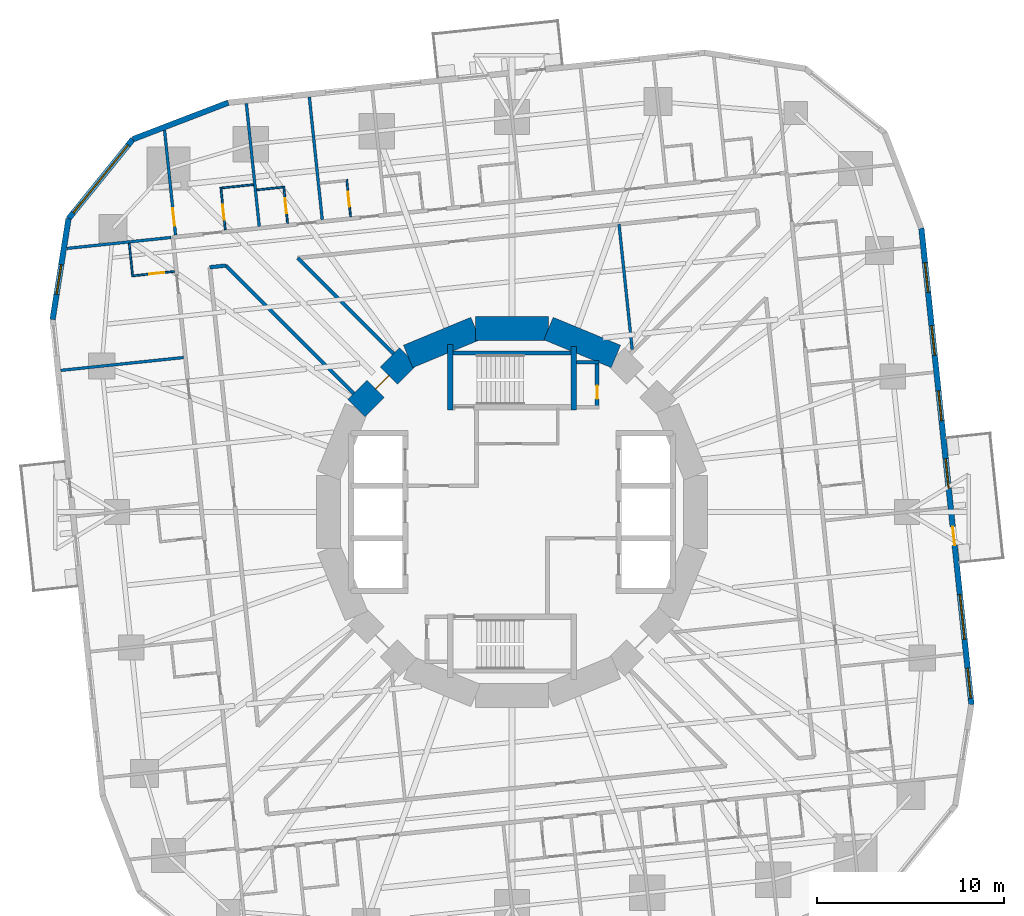
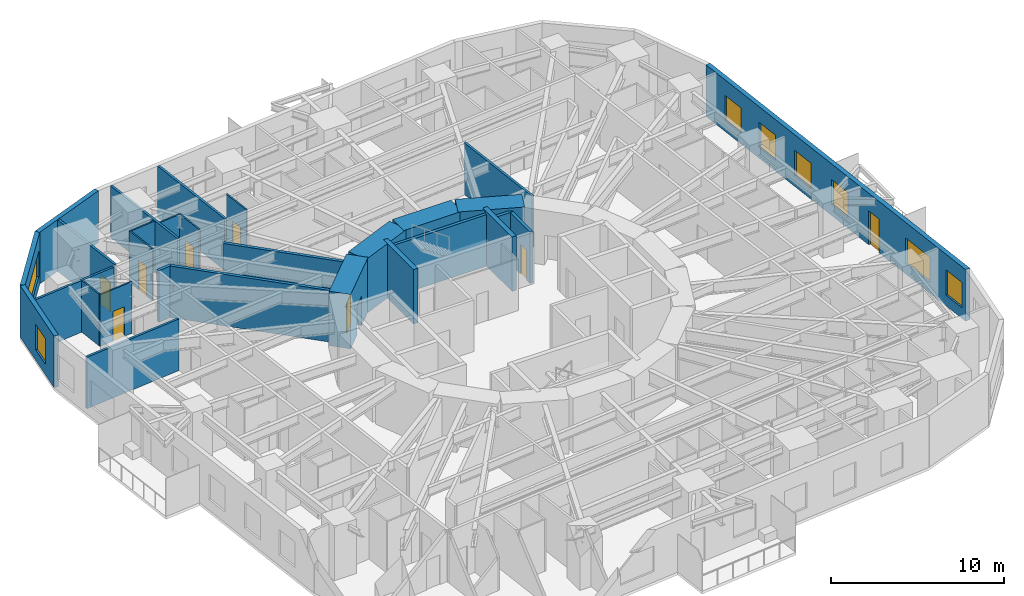
# One storey, part 9 of 13: 29 walls, 8 doors, 8 windows, 16 openings.
"""IFC4 building model written with IfcOpenShell, lengths in metres."""

from ifc_helpers import new_model, si_unit, direction, frame, frame_2d, origin, place, context, subcontext, project, spatial, rectangle, extrude, material, layer, layer_set, type_object, element, fill, save


model = new_model("IFC4")

# Units and contexts
model_context = context("Model", 3, precision=1e-05, world=origin(), true_north=direction((0.0, 1.0)))
body_context = subcontext(model_context, "Body", "Model", "MODEL_VIEW")
ifc_project = project(units=[si_unit("LENGTHUNIT", "METRE"), si_unit("AREAUNIT", "SQUARE_METRE"), si_unit("VOLUMEUNIT", "CUBIC_METRE"), si_unit("PLANEANGLEUNIT", "RADIAN"), si_unit("MASSUNIT", "GRAM", prefix="KILO")], contexts=[model_context])

# Site, building, storey
site_placement = place(None, origin())
site = spatial("IfcSite", under=ifc_project, at=site_placement, CompositionType="ELEMENT")
building_placement = place(site_placement, origin())
building = spatial("IfcBuilding", under=site, at=building_placement, Name="Nakasero Lantern House", CompositionType="ELEMENT")
storey_placement = place(building_placement, frame((0.0, 0.0, 83.60009765625)))
storey = spatial("IfcBuildingStorey", under=building, at=storey_placement, Name="L20", CompositionType="ELEMENT", Elevation=83.60009765625)

# Walls
ifc_material_1 = material(Name="Concrete C50/60", Category="concrete")
ifc_layer_1 = layer(ifc_material_1, 0.300048828125)
ifc_layer_set_1 = layer_set([ifc_layer_1], Name="Core inner wall 300")
wall_type_1 = type_object("IfcWallType", Name="Core inner wall 300", PredefinedType="SHEAR", material=ifc_layer_set_1)
wall_1_placement = place(storey_placement, frame((-3.300048828125, 5.449951171875, 0.0), z_axis=(0.0, 0.0, 1.0), x_axis=(0.0, 1.0, 0.0)))
element("IfcWall", 1, at=wall_1_placement, inside=storey, type_object=wall_type_1, Name="Core inner wall L20 SNW", PredefinedType="SHEAR", context=body_context, shape_type="SweptSolid", body=[
    extrude(rectangle(XDim=3.5, YDim=0.300048828125, at=frame_2d((1.75, 0.0))), origin(), (0.0, 0.0, 1.0), 3.849853515625),
])
wall_2_placement = place(storey_placement, frame((3.300048828125, 5.449951171875, 0.0), z_axis=(0.0, 0.0, 1.0), x_axis=(0.0, 1.0, 0.0)))
element("IfcWall", 2, at=wall_2_placement, inside=storey, type_object=wall_type_1, Name="Core inner wall L20 SNE", PredefinedType="SHEAR", context=body_context, shape_type="SweptSolid", body=[
    extrude(rectangle(XDim=3.400146484375, YDim=0.300048828125, at=frame_2d((1.7001953125, 0.0))), origin(), (0.0, 0.0, 1.0), 3.849853515625),
])
ifc_material_2 = material(Name="Concrete C50/60", Category="concrete")
ifc_layer_2 = layer(ifc_material_2, 1.300048828125)
ifc_layer_set_2 = layer_set([ifc_layer_2], Name="Core wall 1300")
wall_type_2 = type_object("IfcWallType", Name="Core wall 1300", PredefinedType="SHEAR", material=ifc_layer_set_2)
for number, where, z_axis, x_axis, name in (
    (3, (5.5556640625, 8.314697265625, 0.0), (0.0, 0.0, 1.0), (-0.923876507187, 0.382690736062, 0.0), "Core wall L20 facet 3"),
    (4, (1.950927734375, 9.807861328125, 0.0), (0.0, 0.0, 1.0), (-1.0, 0.0, 0.0), "Core wall L20 facet 4"),
    (5, (-1.950927734375, 9.807861328125, 0.0), (0.0, 0.0, 1.0), (-0.923876507187, -0.382690736062, 0.0), "Core wall L20 facet 5"),
):
    element("IfcWall", number, at=place(storey_placement, frame(where, z_axis=z_axis, x_axis=x_axis)), inside=storey, type_object=wall_type_2, Name=name, PredefinedType="SHEAR", context=body_context, shape_type="SweptSolid", body=[
        extrude(rectangle(XDim=3.90185546875, YDim=1.300048828125, at=frame_2d((1.950927734375, 0.0))), origin(), (0.0, 0.0, 1.0), 3.849853515625),
    ])

# Wall, opening, door
wall_3_placement = place(storey_placement, frame((-5.5556640625, 8.314697265625, 0.0), z_axis=(0.0, 0.0, 1.0), x_axis=(-0.707106781187, -0.707106781187, 0.0)))
wall_3 = element("IfcWall", 6, at=wall_3_placement, inside=storey, type_object=wall_type_2, Name="Core wall L20 facet 6", PredefinedType="SHEAR", context=body_context, shape_type="SweptSolid", body=[
    extrude(rectangle(XDim=3.90185546875, YDim=1.300048828125, at=frame_2d((1.950927734375, 0.0))), origin(), (0.0, 0.0, 1.0), 3.849853515625),
])
opening_1_placement = place(wall_3_placement, frame((1.450927734375, 0.0, 0.0)))
opening_1 = element("IfcOpeningElement", 7, at=opening_1_placement, cuts=wall_3, Name="Opening D05", PredefinedType="OPENING", context=body_context, shape_type="SweptSolid", body=[
    extrude(rectangle(XDim=1.0, YDim=2.10009765625, at=frame_2d((0.5, 1.050048828125))), frame((0.0, 0.669921875, 0.0), z_axis=(0.0, -1.0, 0.0), x_axis=(1.0, 0.0, 0.0)), (0.0, 0.0, 1.0), 1.340087890625),
])
ifc_material_3 = material(Name="Timber C24", Category="wood")
door_type_1 = type_object("IfcDoorType", Name="Core door FD60S 1000", OperationType="SINGLE_SWING_LEFT", PredefinedType="DOOR", material=ifc_material_3)
door_1_placement = place(opening_1_placement, origin())
door_1 = element("IfcDoor", 8, at=door_1_placement, inside=storey, type_object=door_type_1, Name="Door L20 D-CORE06", OperationType="SINGLE_SWING_LEFT", OverallHeight=2.10009765625, OverallWidth=1.0, PredefinedType="DOOR", context=body_context, shape_type="SweptSolid", body=[
    extrude(rectangle(XDim=1.0, YDim=2.10009765625, at=frame_2d((0.5, 1.050048828125))), frame((0.0, 0.02490234375, 0.0), z_axis=(0.0, -1.0, 0.0), x_axis=(1.0, 0.0, 0.0)), (0.0, 0.0, 1.0), 0.050048828125),
])
fill(opening_1, door_1)

# Walls
ifc_material_4 = material(Name="Blockwork", Category="masonry")
ifc_layer_3 = layer(ifc_material_4, 0.199951171875)
ifc_layer_set_3 = layer_set([ifc_layer_3], Name="Corridor wall 200")
wall_type_3 = type_object("IfcWallType", Name="Corridor wall 200", PredefinedType="PARTITIONING", material=ifc_layer_set_3)
wall_4_placement = place(storey_placement, frame((-8.45556640625, 6.334228515625, 0.0), z_axis=(0.0, 0.0, 1.0), x_axis=(-0.707106781187, 0.707106781187, 0.0)))
element("IfcWall", 9, at=wall_4_placement, inside=storey, type_object=wall_type_3, Name="Corridor wall L20 PS06a", PredefinedType="PARTITIONING", context=body_context, shape_type="SweptSolid", body=[
    extrude(rectangle(XDim=9.671875, YDim=0.199951171875, at=frame_2d((4.8359375, 0.0))), origin(), (0.0, 0.0, 1.0), 3.64990234375),
])
wall_5_placement = place(storey_placement, frame((-6.334228515625, 8.45556640625, 0.0), z_axis=(0.0, 0.0, 1.0), x_axis=(-0.707106781187, 0.707106781187, 0.0)))
element("IfcWall", 10, at=wall_5_placement, inside=storey, type_object=wall_type_3, Name="Corridor wall L20 PS06b", PredefinedType="PARTITIONING", context=body_context, shape_type="SweptSolid", body=[
    extrude(rectangle(XDim=7.24267578125, YDim=0.199951171875, at=frame_2d((3.621337890625, 0.0))), origin(), (0.0, 0.0, 1.0), 3.64990234375),
])
wall_6_placement = place(storey_placement, frame((-16.156005859375, 13.0830078125, 0.0), z_axis=(0.0, 0.0, 1.0), x_axis=(0.994545540927, 0.104303245505, 0.0)))
element("IfcWall", 11, at=wall_6_placement, inside=storey, type_object=wall_type_3, Name="Corridor wall L20 IW2-0R0", PredefinedType="PARTITIONING", context=body_context, shape_type="SweptSolid", body=[
    extrude(rectangle(XDim=0.865966796875, YDim=0.199951171875, at=frame_2d((0.43310546875, 0.0))), origin(), (0.0, 0.0, 1.0), 3.64990234375),
])

# Wall, opening, door
ifc_material_5 = material(Name="Blockwork", Category="masonry")
ifc_layer_4 = layer(ifc_material_5, 0.10009765625)
ifc_layer_set_4 = layer_set([ifc_layer_4], Name="En-suite wall 100")
wall_type_4 = type_object("IfcWallType", Name="En-suite wall 100", PredefinedType="PARTITIONING", material=ifc_layer_set_4)
wall_7_placement = place(storey_placement, frame((-8.627685546875, 15.78466796875, 0.0), z_axis=(0.0, 0.0, 1.0), x_axis=(-0.104614886044, 0.994512808172, 0.0)))
wall_7 = element("IfcWall", 12, at=wall_7_placement, inside=storey, type_object=wall_type_4, Name="En-suite wall L20 ES1-06", PredefinedType="PARTITIONING", context=body_context, shape_type="SweptSolid", body=[
    extrude(rectangle(XDim=2.0, YDim=0.10009765625, at=frame_2d((1.0, 0.0))), origin(), (0.0, 0.0, 1.0), 3.64990234375),
])
opening_2_placement = place(wall_7_placement, frame((0.550048828125, 0.0, 0.0)))
opening_2 = element("IfcOpeningElement", 13, at=opening_2_placement, cuts=wall_7, Name="Opening D02", PredefinedType="OPENING", context=body_context, shape_type="SweptSolid", body=[
    extrude(rectangle(XDim=0.800048828125, YDim=2.10009765625, at=frame_2d((0.39990234375, 1.050048828125))), frame((0.0, 0.070068359375, 0.0), z_axis=(0.0, -1.0, 0.0), x_axis=(1.0, 0.0, 0.0)), (0.0, 0.0, 1.0), 0.14013671875),
])
ifc_material_6 = material(Name="Timber C24", Category="wood")
door_type_2 = type_object("IfcDoorType", Name="En-suite door 800", OperationType="SINGLE_SWING_RIGHT", PredefinedType="DOOR", material=ifc_material_6)
door_2_placement = place(opening_2_placement, origin())
door_2 = element("IfcDoor", 14, at=door_2_placement, inside=storey, type_object=door_type_2, Name="Door L20 DE1-06", OperationType="SINGLE_SWING_LEFT", OverallHeight=2.10009765625, OverallWidth=0.800048828125, PredefinedType="DOOR", context=body_context, shape_type="SweptSolid", body=[
    extrude(rectangle(XDim=0.800048828125, YDim=2.10009765625, at=frame_2d((0.39990234375, 1.050048828125))), frame((0.0, 0.02490234375, 0.0), z_axis=(0.0, -1.0, 0.0), x_axis=(1.0, 0.0, 0.0)), (0.0, 0.0, 1.0), 0.050048828125),
])
fill(opening_2, door_2)

wall_8_placement = place(storey_placement, frame((-11.994873046875, 15.4306640625, 0.0), z_axis=(0.0, 0.0, 1.0), x_axis=(-0.104494148666, 0.99452550138, 0.0)))
wall_8 = element("IfcWall", 15, at=wall_8_placement, inside=storey, type_object=wall_type_4, Name="En-suite wall L20 ES1-07", PredefinedType="PARTITIONING", context=body_context, shape_type="SweptSolid", body=[
    extrude(rectangle(XDim=2.0, YDim=0.10009765625, at=frame_2d((1.0, 0.0))), origin(), (0.0, 0.0, 1.0), 3.64990234375),
])
opening_3_placement = place(wall_8_placement, frame((0.550048828125, 0.0, 0.0)))
opening_3 = element("IfcOpeningElement", 16, at=opening_3_placement, cuts=wall_8, Name="Opening D02", PredefinedType="OPENING", context=body_context, shape_type="SweptSolid", body=[
    extrude(rectangle(XDim=0.800048828125, YDim=2.10009765625, at=frame_2d((0.39990234375, 1.050048828125))), frame((0.0, 0.070068359375, 0.0), z_axis=(0.0, -1.0, 0.0), x_axis=(1.0, 0.0, 0.0)), (0.0, 0.0, 1.0), 0.14013671875),
])
door_3_placement = place(opening_3_placement, origin())
door_3 = element("IfcDoor", 17, at=door_3_placement, inside=storey, type_object=door_type_2, Name="Door L20 DE1-07", OperationType="SINGLE_SWING_LEFT", OverallHeight=2.10009765625, OverallWidth=0.800048828125, PredefinedType="DOOR", context=body_context, shape_type="SweptSolid", body=[
    extrude(rectangle(XDim=0.800048828125, YDim=2.10009765625, at=frame_2d((0.39990234375, 1.050048828125))), frame((0.0, 0.02490234375, 0.0), z_axis=(0.0, -1.0, 0.0), x_axis=(1.0, 0.0, 0.0)), (0.0, 0.0, 1.0), 0.050048828125),
])
fill(opening_3, door_3)

# Wall
wall_9_placement = place(storey_placement, frame((-12.248291015625, 17.36474609375, 0.0), z_axis=(0.0, 0.0, 1.0), x_axis=(-0.994529315664, -0.104457839748, 0.0)))
element("IfcWall", 18, at=wall_9_placement, inside=storey, type_object=wall_type_4, Name="En-suite wall L20 EE1-07", PredefinedType="PARTITIONING", context=body_context, shape_type="SweptSolid", body=[
    extrude(rectangle(XDim=1.39990234375, YDim=0.10009765625, at=frame_2d((0.699951171875, 0.0))), origin(), (0.0, 0.0, 1.0), 3.64990234375),
])

# Wall, opening, door
wall_10_placement = place(storey_placement, frame((-15.326416015625, 15.08056640625, 0.0), z_axis=(0.0, 0.0, 1.0), x_axis=(-0.104557694553, 0.994518822602, 0.0)))
wall_10 = element("IfcWall", 19, at=wall_10_placement, inside=storey, type_object=wall_type_4, Name="En-suite wall L20 ES1-08", PredefinedType="PARTITIONING", context=body_context, shape_type="SweptSolid", body=[
    extrude(rectangle(XDim=2.300048828125, YDim=0.10009765625, at=frame_2d((1.14990234375, 0.0))), origin(), (0.0, 0.0, 1.0), 3.64990234375),
])
opening_4_placement = place(wall_10_placement, frame((0.550048828125, 0.0, 0.0)))
opening_4 = element("IfcOpeningElement", 20, at=opening_4_placement, cuts=wall_10, Name="Opening D02", PredefinedType="OPENING", context=body_context, shape_type="SweptSolid", body=[
    extrude(rectangle(XDim=0.800048828125, YDim=2.10009765625, at=frame_2d((0.39990234375, 1.050048828125))), frame((0.0, 0.070068359375, 0.0), z_axis=(0.0, -1.0, 0.0), x_axis=(1.0, 0.0, 0.0)), (0.0, 0.0, 1.0), 0.14013671875),
])
door_4_placement = place(opening_4_placement, origin())
door_4 = element("IfcDoor", 21, at=door_4_placement, inside=storey, type_object=door_type_2, Name="Door L20 DE1-08", OperationType="SINGLE_SWING_LEFT", OverallHeight=2.10009765625, OverallWidth=0.800048828125, PredefinedType="DOOR", context=body_context, shape_type="SweptSolid", body=[
    extrude(rectangle(XDim=0.800048828125, YDim=2.10009765625, at=frame_2d((0.39990234375, 1.050048828125))), frame((0.0, 0.02490234375, 0.0), z_axis=(0.0, -1.0, 0.0), x_axis=(1.0, 0.0, 0.0)), (0.0, 0.0, 1.0), 0.050048828125),
])
fill(opening_4, door_4)

# Wall
wall_11_placement = place(storey_placement, frame((-13.8212890625, 17.501220703125, 0.0), z_axis=(0.0, 0.0, 1.0), x_axis=(-0.994519608382, -0.104550220202, 0.0)))
element("IfcWall", 22, at=wall_11_placement, inside=storey, type_object=wall_type_4, Name="En-suite wall L20 EE1-08", PredefinedType="PARTITIONING", context=body_context, shape_type="SweptSolid", body=[
    extrude(rectangle(XDim=1.699951171875, YDim=0.10009765625, at=frame_2d((0.85009765625, 0.0))), origin(), (0.0, 0.0, 1.0), 3.64990234375),
])

# Wall, opening, door
wall_12_placement = place(storey_placement, frame((-18.04296875, 12.859375, 0.0), z_axis=(0.0, 0.0, 1.0), x_axis=(-0.994529855142, -0.104452703326, 0.0)))
wall_12 = element("IfcWall", 23, at=wall_12_placement, inside=storey, type_object=wall_type_4, Name="En-suite wall L20 ES2-00", PredefinedType="PARTITIONING", context=body_context, shape_type="SweptSolid", body=[
    extrude(rectangle(XDim=2.300048828125, YDim=0.10009765625, at=frame_2d((1.14990234375, 0.0))), origin(), (0.0, 0.0, 1.0), 3.64990234375),
])
opening_5_placement = place(wall_12_placement, frame((0.550048828125, 0.0, 0.0)))
opening_5 = element("IfcOpeningElement", 24, at=opening_5_placement, cuts=wall_12, Name="Opening D02", PredefinedType="OPENING", context=body_context, shape_type="SweptSolid", body=[
    extrude(rectangle(XDim=0.800048828125, YDim=2.10009765625, at=frame_2d((0.39990234375, 1.050048828125))), frame((0.0, 0.070068359375, 0.0), z_axis=(0.0, -1.0, 0.0), x_axis=(1.0, 0.0, 0.0)), (0.0, 0.0, 1.0), 0.14013671875),
])
door_5_placement = place(opening_5_placement, origin())
door_5 = element("IfcDoor", 25, at=door_5_placement, inside=storey, type_object=door_type_2, Name="Door L20 DE2-00", OperationType="SINGLE_SWING_LEFT", OverallHeight=2.10009765625, OverallWidth=0.800048828125, PredefinedType="DOOR", context=body_context, shape_type="SweptSolid", body=[
    extrude(rectangle(XDim=0.800048828125, YDim=2.10009765625, at=frame_2d((0.39990234375, 1.050048828125))), frame((0.0, 0.02490234375, 0.0), z_axis=(0.0, -1.0, 0.0), x_axis=(1.0, 0.0, 0.0)), (0.0, 0.0, 1.0), 0.050048828125),
])
fill(opening_5, door_5)

# Wall
wall_13_placement = place(storey_placement, frame((-20.463623046875, 14.36474609375, 0.0), z_axis=(0.0, 0.0, 1.0), x_axis=(0.104550220202, -0.994519608382, 0.0)))
element("IfcWall", 26, at=wall_13_placement, inside=storey, type_object=wall_type_4, Name="En-suite wall L20 EE2-00", PredefinedType="PARTITIONING", context=body_context, shape_type="SweptSolid", body=[
    extrude(rectangle(XDim=1.699951171875, YDim=0.10009765625, at=frame_2d((0.85009765625, 0.0))), origin(), (0.0, 0.0, 1.0), 3.64990234375),
])

# Wall, openings, door, windows
ifc_material_7 = material(Name="Aluminium rainscreen on blockwork", Category="masonry")
ifc_layer_5 = layer(ifc_material_7, 0.300048828125)
ifc_layer_set_5 = layer_set([ifc_layer_5], Name="Facade wall 300")
wall_type_5 = type_object("IfcWallType", Name="Facade wall 300", PredefinedType="SOLIDWALL", material=ifc_layer_set_5)
wall_14_placement = place(storey_placement, frame((24.56005859375, -10.2890625, 0.0), z_axis=(0.0, 0.0, 1.0), x_axis=(-0.104532378096, 0.994521483895, 0.0)))
wall_14 = element("IfcWall", 27, at=wall_14_placement, inside=storey, type_object=wall_type_5, Name="Facade wall L20 FW0S", PredefinedType="SOLIDWALL", context=body_context, shape_type="SweptSolid", body=[
    extrude(rectangle(XDim=25.599853515625, YDim=0.300048828125, at=frame_2d((12.7998046875, 0.0))), origin(), (0.0, 0.0, 1.0), 3.64990234375),
])
opening_6_placement = place(wall_14_placement, frame((0.337890625, 0.0, 0.75)))
opening_6 = element("IfcOpeningElement", 28, at=opening_6_placement, cuts=wall_14, Name="Opening W01", PredefinedType="OPENING", context=body_context, shape_type="SweptSolid", body=[
    extrude(rectangle(XDim=1.60009765625, YDim=1.800048828125, at=frame_2d((0.800048828125, 0.89990234375))), frame((0.0, 0.169921875, 0.0), z_axis=(0.0, -1.0, 0.0), x_axis=(1.0, 0.0, 0.0)), (0.0, 0.0, 1.0), 0.340087890625),
])
opening_7_placement = place(wall_14_placement, frame((11.612060546875, 0.0, 0.75)))
opening_7 = element("IfcOpeningElement", 29, at=opening_7_placement, cuts=wall_14, Name="Opening W01", PredefinedType="OPENING", context=body_context, shape_type="SweptSolid", body=[
    extrude(rectangle(XDim=1.60009765625, YDim=1.800048828125, at=frame_2d((0.800048828125, 0.89990234375))), frame((0.0, 0.169921875, 0.0), z_axis=(0.0, -1.0, 0.0), x_axis=(1.0, 0.0, 0.0)), (0.0, 0.0, 1.0), 0.340087890625),
])
opening_8_placement = place(wall_14_placement, frame((15.250732421875, 0.0, 0.75)))
opening_8 = element("IfcOpeningElement", 30, at=opening_8_placement, cuts=wall_14, Name="Opening W01", PredefinedType="OPENING", context=body_context, shape_type="SweptSolid", body=[
    extrude(rectangle(XDim=1.60009765625, YDim=1.800048828125, at=frame_2d((0.800048828125, 0.89990234375))), frame((0.0, 0.169921875, 0.0), z_axis=(0.0, -1.0, 0.0), x_axis=(1.0, 0.0, 0.0)), (0.0, 0.0, 1.0), 0.340087890625),
])
opening_9_placement = place(wall_14_placement, frame((18.7626953125, 0.0, 0.75)))
opening_9 = element("IfcOpeningElement", 31, at=opening_9_placement, cuts=wall_14, Name="Opening W01", PredefinedType="OPENING", context=body_context, shape_type="SweptSolid", body=[
    extrude(rectangle(XDim=1.60009765625, YDim=1.800048828125, at=frame_2d((0.800048828125, 0.89990234375))), frame((0.0, 0.169921875, 0.0), z_axis=(0.0, -1.0, 0.0), x_axis=(1.0, 0.0, 0.0)), (0.0, 0.0, 1.0), 0.340087890625),
])
opening_10_placement = place(wall_14_placement, frame((22.1484375, 0.0, 0.75)))
opening_10 = element("IfcOpeningElement", 32, at=opening_10_placement, cuts=wall_14, Name="Opening W01", PredefinedType="OPENING", context=body_context, shape_type="SweptSolid", body=[
    extrude(rectangle(XDim=1.60009765625, YDim=1.800048828125, at=frame_2d((0.800048828125, 0.89990234375))), frame((0.0, 0.169921875, 0.0), z_axis=(0.0, -1.0, 0.0), x_axis=(1.0, 0.0, 0.0)), (0.0, 0.0, 1.0), 0.340087890625),
])
opening_11_placement = place(wall_14_placement, frame((3.51123046875, 0.0, 0.75)))
opening_11 = element("IfcOpeningElement", 33, at=opening_11_placement, cuts=wall_14, Name="Opening W03", PredefinedType="OPENING", context=body_context, shape_type="SweptSolid", body=[
    extrude(rectangle(XDim=2.39990234375, YDim=1.800048828125, at=frame_2d((1.199951171875, 0.89990234375))), frame((0.0, 0.169921875, 0.0), z_axis=(0.0, -1.0, 0.0), x_axis=(1.0, 0.0, 0.0)), (0.0, 0.0, 1.0), 0.340087890625),
])
opening_12_placement = place(wall_14_placement, frame((8.558837890625, 0.0, 0.0)))
opening_12 = element("IfcOpeningElement", 34, at=opening_12_placement, cuts=wall_14, Name="Opening D04", PredefinedType="OPENING", context=body_context, shape_type="SweptSolid", body=[
    extrude(rectangle(XDim=1.0, YDim=2.39990234375, at=frame_2d((0.5, 1.199951171875))), frame((0.0, 0.169921875, 0.0), z_axis=(0.0, -1.0, 0.0), x_axis=(1.0, 0.0, 0.0)), (0.0, 0.0, 1.0), 0.340087890625),
])
ifc_material_8 = material(Name="Aluminium 6063-T6 and glass", Category="aluminium")
door_type_3 = type_object("IfcDoorType", Name="Balcony door 1000x2400", OperationType="SINGLE_SWING_RIGHT", PredefinedType="DOOR", material=ifc_material_8)
door_6_placement = place(opening_12_placement, origin())
door_6 = element("IfcDoor", 35, at=door_6_placement, inside=storey, type_object=door_type_3, Name="Balcony door L20 DB0", OperationType="SINGLE_SWING_RIGHT", OverallHeight=2.39990234375, OverallWidth=1.0, PredefinedType="DOOR", context=body_context, shape_type="SweptSolid", body=[
    extrude(rectangle(XDim=1.0, YDim=2.39990234375, at=frame_2d((0.5, 1.199951171875))), frame((0.0, 0.02490234375, 0.0), z_axis=(0.0, -1.0, 0.0), x_axis=(1.0, 0.0, 0.0)), (0.0, 0.0, 1.0), 0.050048828125),
])
fill(opening_12, door_6)
ifc_material_9 = material(Name="Aluminium 6063-T6 and glass", Category="aluminium")
window_type_1 = type_object("IfcWindowType", Name="Bedroom window 1600x1800", PartitioningType="SINGLE_PANEL", PredefinedType="WINDOW", material=ifc_material_9)
window_1_placement = place(opening_6_placement, origin())
window_1 = element("IfcWindow", 36, at=window_1_placement, inside=storey, type_object=window_type_1, Name="Window L20 WN0-01", OverallHeight=1.800048828125, OverallWidth=1.60009765625, PartitioningType="SINGLE_PANEL", PredefinedType="WINDOW", context=body_context, shape_type="SweptSolid", body=[
    extrude(rectangle(XDim=1.60009765625, YDim=1.800048828125, at=frame_2d((0.800048828125, 0.89990234375))), frame((0.0, 0.030029296875, 0.0), z_axis=(0.0, -1.0, 0.0), x_axis=(1.0, 0.0, 0.0)), (0.0, 0.0, 1.0), 0.06005859375),
])
fill(opening_6, window_1)
window_2_placement = place(opening_7_placement, origin())
window_2 = element("IfcWindow", 37, at=window_2_placement, inside=storey, type_object=window_type_1, Name="Window L20 WN0-04", OverallHeight=1.800048828125, OverallWidth=1.60009765625, PartitioningType="SINGLE_PANEL", PredefinedType="WINDOW", context=body_context, shape_type="SweptSolid", body=[
    extrude(rectangle(XDim=1.60009765625, YDim=1.800048828125, at=frame_2d((0.800048828125, 0.89990234375))), frame((0.0, 0.030029296875, 0.0), z_axis=(0.0, -1.0, 0.0), x_axis=(1.0, 0.0, 0.0)), (0.0, 0.0, 1.0), 0.06005859375),
])
fill(opening_7, window_2)
window_3_placement = place(opening_8_placement, origin())
window_3 = element("IfcWindow", 38, at=window_3_placement, inside=storey, type_object=window_type_1, Name="Window L20 WN0-05", OverallHeight=1.800048828125, OverallWidth=1.60009765625, PartitioningType="SINGLE_PANEL", PredefinedType="WINDOW", context=body_context, shape_type="SweptSolid", body=[
    extrude(rectangle(XDim=1.60009765625, YDim=1.800048828125, at=frame_2d((0.800048828125, 0.89990234375))), frame((0.0, 0.030029296875, 0.0), z_axis=(0.0, -1.0, 0.0), x_axis=(1.0, 0.0, 0.0)), (0.0, 0.0, 1.0), 0.06005859375),
])
fill(opening_8, window_3)
window_4_placement = place(opening_9_placement, origin())
window_4 = element("IfcWindow", 39, at=window_4_placement, inside=storey, type_object=window_type_1, Name="Window L20 WN0-06", OverallHeight=1.800048828125, OverallWidth=1.60009765625, PartitioningType="SINGLE_PANEL", PredefinedType="WINDOW", context=body_context, shape_type="SweptSolid", body=[
    extrude(rectangle(XDim=1.60009765625, YDim=1.800048828125, at=frame_2d((0.800048828125, 0.89990234375))), frame((0.0, 0.030029296875, 0.0), z_axis=(0.0, -1.0, 0.0), x_axis=(1.0, 0.0, 0.0)), (0.0, 0.0, 1.0), 0.06005859375),
])
fill(opening_9, window_4)
window_5_placement = place(opening_10_placement, origin())
window_5 = element("IfcWindow", 40, at=window_5_placement, inside=storey, type_object=window_type_1, Name="Window L20 WN0-07", OverallHeight=1.800048828125, OverallWidth=1.60009765625, PartitioningType="SINGLE_PANEL", PredefinedType="WINDOW", context=body_context, shape_type="SweptSolid", body=[
    extrude(rectangle(XDim=1.60009765625, YDim=1.800048828125, at=frame_2d((0.800048828125, 0.89990234375))), frame((0.0, 0.030029296875, 0.0), z_axis=(0.0, -1.0, 0.0), x_axis=(1.0, 0.0, 0.0)), (0.0, 0.0, 1.0), 0.06005859375),
])
fill(opening_10, window_5)
ifc_material_10 = material(Name="Aluminium 6063-T6 and glass", Category="aluminium")
window_type_2 = type_object("IfcWindowType", Name="Lounge window 2400x1800", PartitioningType="SINGLE_PANEL", PredefinedType="WINDOW", material=ifc_material_10)
window_6_placement = place(opening_11_placement, origin())
window_6 = element("IfcWindow", 41, at=window_6_placement, inside=storey, type_object=window_type_2, Name="Window L20 WK0", OverallHeight=1.800048828125, OverallWidth=2.39990234375, PartitioningType="SINGLE_PANEL", PredefinedType="WINDOW", context=body_context, shape_type="SweptSolid", body=[
    extrude(rectangle(XDim=2.39990234375, YDim=1.800048828125, at=frame_2d((1.199951171875, 0.89990234375))), frame((0.0, 0.030029296875, 0.0), z_axis=(0.0, -1.0, 0.0), x_axis=(1.0, 0.0, 0.0)), (0.0, 0.0, 1.0), 0.06005859375),
])
fill(opening_11, window_6)

# Wall
wall_15_placement = place(storey_placement, frame((-15.170654296875, 21.884033203125, 0.0), z_axis=(0.0, 0.0, 1.0), x_axis=(-0.933583906079, -0.358358884793, 0.0)))
element("IfcWall", 42, at=wall_15_placement, inside=storey, type_object=wall_type_5, Name="Facade wall L20 FW1C1", PredefinedType="SOLIDWALL", context=body_context, shape_type="SweptSolid", body=[
    extrude(rectangle(XDim=5.461181640625, YDim=0.300048828125, at=frame_2d((2.73046875, 0.0))), origin(), (0.0, 0.0, 1.0), 3.64990234375),
])

# Wall, opening, window
wall_16_placement = place(storey_placement, frame((-20.26904296875, 19.927001953125, 0.0), z_axis=(0.0, 0.0, 1.0), x_axis=(-0.629334543442, -0.777134500863, 0.0)))
wall_16 = element("IfcWall", 43, at=wall_16_placement, inside=storey, type_object=wall_type_5, Name="Facade wall L20 FW1C2", PredefinedType="SOLIDWALL", context=body_context, shape_type="SweptSolid", body=[
    extrude(rectangle(XDim=5.4609375, YDim=0.300048828125, at=frame_2d((2.73046875, 0.0))), origin(), (0.0, 0.0, 1.0), 3.64990234375),
])
opening_13_placement = place(wall_16_placement, frame((0.39990234375, 0.0, 0.75)))
opening_13 = element("IfcOpeningElement", 44, at=opening_13_placement, cuts=wall_16, Name="Opening W246", PredefinedType="OPENING", context=body_context, shape_type="SweptSolid", body=[
    extrude(rectangle(XDim=4.660888671875, YDim=1.800048828125, at=frame_2d((2.33056640625, 0.89990234375))), frame((0.0, 0.169921875, 0.0), z_axis=(0.0, -1.0, 0.0), x_axis=(1.0, 0.0, 0.0)), (0.0, 0.0, 1.0), 0.340087890625),
])
ifc_material_11 = material(Name="Aluminium 6063-T6 and glass", Category="aluminium")
window_type_3 = type_object("IfcWindowType", Name="Corner window 4661x1800", PartitioningType="SINGLE_PANEL", PredefinedType="WINDOW", material=ifc_material_11)
window_7_placement = place(opening_13_placement, origin())
window_7 = element("IfcWindow", 45, at=window_7_placement, inside=storey, type_object=window_type_3, Name="Window L20 WC1", OverallHeight=1.800048828125, OverallWidth=4.660888671875, PartitioningType="SINGLE_PANEL", PredefinedType="WINDOW", context=body_context, shape_type="SweptSolid", body=[
    extrude(rectangle(XDim=4.660888671875, YDim=1.800048828125, at=frame_2d((2.33056640625, 0.89990234375))), frame((0.0, 0.030029296875, 0.0), z_axis=(0.0, -1.0, 0.0), x_axis=(1.0, 0.0, 0.0)), (0.0, 0.0, 1.0), 0.06005859375),
])
fill(opening_13, window_7)

wall_17_placement = place(storey_placement, frame((-23.705810546875, 15.68310546875, 0.0), z_axis=(0.0, 0.0, 1.0), x_axis=(-0.156419383601, -0.987690729142, 0.0)))
wall_17 = element("IfcWall", 46, at=wall_17_placement, inside=storey, type_object=wall_type_5, Name="Facade wall L20 FW1C3", PredefinedType="SOLIDWALL", context=body_context, shape_type="SweptSolid", body=[
    extrude(rectangle(XDim=5.461181640625, YDim=0.300048828125, at=frame_2d((2.73046875, 0.0))), origin(), (0.0, 0.0, 1.0), 3.64990234375),
])
opening_14_placement = place(wall_17_placement, frame((2.5, 0.0, 0.75)))
opening_14 = element("IfcOpeningElement", 47, at=opening_14_placement, cuts=wall_17, Name="Opening W01", PredefinedType="OPENING", context=body_context, shape_type="SweptSolid", body=[
    extrude(rectangle(XDim=1.60009765625, YDim=1.800048828125, at=frame_2d((0.800048828125, 0.89990234375))), frame((0.0, 0.169921875, 0.0), z_axis=(0.0, -1.0, 0.0), x_axis=(1.0, 0.0, 0.0)), (0.0, 0.0, 1.0), 0.340087890625),
])
window_8_placement = place(opening_14_placement, origin())
window_8 = element("IfcWindow", 48, at=window_8_placement, inside=storey, type_object=window_type_1, Name="Window L20 WN2-00", OverallHeight=1.800048828125, OverallWidth=1.60009765625, PartitioningType="SINGLE_PANEL", PredefinedType="WINDOW", context=body_context, shape_type="SweptSolid", body=[
    extrude(rectangle(XDim=1.60009765625, YDim=1.800048828125, at=frame_2d((0.800048828125, 0.89990234375))), frame((0.0, 0.030029296875, 0.0), z_axis=(0.0, -1.0, 0.0), x_axis=(1.0, 0.0, 0.0)), (0.0, 0.0, 1.0), 0.06005859375),
])
fill(opening_14, window_8)

# Wall, opening, door
ifc_material_12 = material(Name="Blockwork", Category="masonry")
ifc_layer_6 = layer(ifc_material_12, 0.199951171875)
ifc_layer_set_6 = layer_set([ifc_layer_6], Name="Fire lobby wall 200")
wall_type_6 = type_object("IfcWallType", Name="Fire lobby wall 200", PredefinedType="PARTITIONING", material=ifc_layer_set_6)
wall_18_placement = place(storey_placement, frame((4.550048828125, 5.60009765625, 0.0), z_axis=(0.0, 0.0, 1.0), x_axis=(0.0, 1.0, 0.0)))
wall_18 = element("IfcWall", 49, at=wall_18_placement, inside=storey, type_object=wall_type_6, Name="Fire lobby wall L20 W-RS1E", PredefinedType="PARTITIONING", context=body_context, shape_type="SweptSolid", body=[
    extrude(rectangle(XDim=2.39990234375, YDim=0.199951171875, at=frame_2d((1.199951171875, 0.0))), origin(), (0.0, 0.0, 1.0), 3.64990234375),
])
opening_15_placement = place(wall_18_placement, frame((0.449951171875, 0.0, 0.0)))
opening_15 = element("IfcOpeningElement", 50, at=opening_15_placement, cuts=wall_18, Name="Opening D06", PredefinedType="OPENING", context=body_context, shape_type="SweptSolid", body=[
    extrude(rectangle(XDim=0.699951171875, YDim=2.10009765625, at=frame_2d((0.35009765625, 1.050048828125))), frame((0.0, 0.119873046875, 0.0), z_axis=(0.0, -1.0, 0.0), x_axis=(1.0, 0.0, 0.0)), (0.0, 0.0, 1.0), 0.239990234375),
])
ifc_material_13 = material(Name="Steel S355", Category="steel")
door_type_4 = type_object("IfcDoorType", Name="Riser door FD60 700", OperationType="SINGLE_SWING_LEFT", PredefinedType="DOOR", material=ifc_material_13)
door_7_placement = place(opening_15_placement, origin())
door_7 = element("IfcDoor", 51, at=door_7_placement, inside=storey, type_object=door_type_4, Name="Door L20 D-RS1", OperationType="SINGLE_SWING_LEFT", OverallHeight=2.10009765625, OverallWidth=0.699951171875, PredefinedType="DOOR", context=body_context, shape_type="SweptSolid", body=[
    extrude(rectangle(XDim=0.699951171875, YDim=2.10009765625, at=frame_2d((0.35009765625, 1.050048828125))), frame((0.0, 0.02490234375, 0.0), z_axis=(0.0, -1.0, 0.0), x_axis=(1.0, 0.0, 0.0)), (0.0, 0.0, 1.0), 0.050048828125),
])
fill(opening_15, door_7)

# Walls
wall_19_placement = place(storey_placement, frame((3.449951171875, 8.0, 0.0), z_axis=(0.0, 0.0, 1.0), x_axis=(1.0, 0.0, 0.0)))
element("IfcWall", 52, at=wall_19_placement, inside=storey, type_object=wall_type_6, Name="Fire lobby wall L20 W-RS1N", PredefinedType="PARTITIONING", context=body_context, shape_type="SweptSolid", body=[
    extrude(rectangle(XDim=1.199951171875, YDim=0.199951171875, at=frame_2d((0.60009765625, 0.0))), origin(), (0.0, 0.0, 1.0), 3.64990234375),
])
wall_20_placement = place(storey_placement, frame((-3.300048828125, 8.5, 0.0), z_axis=(0.0, 0.0, 1.0), x_axis=(1.0, 0.0, 0.0)))
element("IfcWall", 53, at=wall_20_placement, inside=storey, type_object=wall_type_6, Name="Fire lobby wall L20 W-STN", PredefinedType="PARTITIONING", context=body_context, shape_type="SweptSolid", body=[
    extrude(rectangle(XDim=6.60009765625, YDim=0.199951171875, at=frame_2d((3.300048828125, 0.0))), origin(), (0.0, 0.0, 1.0), 3.64990234375),
])
ifc_material_14 = material(Name="Blockwork", Category="masonry")
ifc_layer_7 = layer(ifc_material_14, 0.14990234375)
ifc_layer_set_7 = layer_set([ifc_layer_7], Name="Party wall 150")
wall_type_7 = type_object("IfcWallType", Name="Party wall 150", PredefinedType="PARTITIONING", material=ifc_layer_set_7)
wall_21_placement = place(storey_placement, frame((-10.14453125, 15.625244140625, 0.0), z_axis=(0.0, 0.0, 1.0), x_axis=(-0.104501850668, 0.994524692105, 0.0)))
element("IfcWall", 54, at=wall_21_placement, inside=storey, type_object=wall_type_7, Name="Party wall L20 PW1-07", PredefinedType="PARTITIONING", context=body_context, shape_type="SweptSolid", body=[
    extrude(rectangle(XDim=6.599853515625, YDim=0.14990234375, at=frame_2d((3.2998046875, 0.0))), origin(), (0.0, 0.0, 1.0), 3.64990234375),
])
wall_22_placement = place(storey_placement, frame((-13.511474609375, 15.271240234375, 0.0), z_axis=(0.0, 0.0, 1.0), x_axis=(-0.104534592565, 0.994521251134, 0.0)))
element("IfcWall", 55, at=wall_22_placement, inside=storey, type_object=wall_type_7, Name="Party wall L20 PW1-08", PredefinedType="PARTITIONING", context=body_context, shape_type="SweptSolid", body=[
    extrude(rectangle(XDim=6.60009765625, YDim=0.14990234375, at=frame_2d((3.300048828125, 0.0))), origin(), (0.0, 0.0, 1.0), 3.64990234375),
])

# Wall, opening, door
wall_23_placement = place(storey_placement, frame((-17.9853515625, 14.801025390625, 0.0), z_axis=(0.0, 0.0, 1.0), x_axis=(-0.104520320471, 0.994522751177, 0.0)))
wall_23 = element("IfcWall", 56, at=wall_23_placement, inside=storey, type_object=wall_type_7, Name="Party wall L20 PC1", PredefinedType="PARTITIONING", context=body_context, shape_type="SweptSolid", body=[
    extrude(rectangle(XDim=5.64111328125, YDim=0.14990234375, at=frame_2d((2.820556640625, 0.0))), origin(), (0.0, 0.0, 1.0), 3.64990234375),
])
opening_16_placement = place(wall_23_placement, frame((0.5, 0.0, 0.0)))
opening_16 = element("IfcOpeningElement", 57, at=opening_16_placement, cuts=wall_23, Name="Opening D01", PredefinedType="OPENING", context=body_context, shape_type="SweptSolid", body=[
    extrude(rectangle(XDim=0.949951171875, YDim=2.10009765625, at=frame_2d((0.47509765625, 1.050048828125))), frame((0.0, 0.094970703125, 0.0), z_axis=(0.0, -1.0, 0.0), x_axis=(1.0, 0.0, 0.0)), (0.0, 0.0, 1.0), 0.18994140625),
])
ifc_material_15 = material(Name="Timber C24", Category="wood")
door_type_5 = type_object("IfcDoorType", Name="Bedroom door FD30S 950", OperationType="SINGLE_SWING_LEFT", PredefinedType="DOOR", material=ifc_material_15)
door_8_placement = place(opening_16_placement, origin())
door_8 = element("IfcDoor", 58, at=door_8_placement, inside=storey, type_object=door_type_5, Name="Door L20 DC1", OperationType="SINGLE_SWING_LEFT", OverallHeight=2.10009765625, OverallWidth=0.949951171875, PredefinedType="DOOR", context=body_context, shape_type="SweptSolid", body=[
    extrude(rectangle(XDim=0.949951171875, YDim=2.10009765625, at=frame_2d((0.47509765625, 1.050048828125))), frame((0.0, 0.02490234375, 0.0), z_axis=(0.0, -1.0, 0.0), x_axis=(1.0, 0.0, 0.0)), (0.0, 0.0, 1.0), 0.050048828125),
])
fill(opening_16, door_8)

# Walls
wall_24_placement = place(storey_placement, frame((-18.23388671875, 14.674560546875, 0.0), z_axis=(0.0, 0.0, 1.0), x_axis=(-0.994520498284, -0.104541754786, 0.0)))
element("IfcWall", 59, at=wall_24_placement, inside=storey, type_object=wall_type_7, Name="Party wall L20 PW2-00", PredefinedType="PARTITIONING", context=body_context, shape_type="SweptSolid", body=[
    extrude(rectangle(XDim=5.597900390625, YDim=0.14990234375, at=frame_2d((2.798828125, 0.0))), origin(), (0.0, 0.0, 1.0), 3.64990234375),
])
wall_25_placement = place(storey_placement, frame((-17.5595703125, 8.25927734375, 0.0), z_axis=(0.0, 0.0, 1.0), x_axis=(-0.994520846901, -0.104538438287, 0.0)))
element("IfcWall", 60, at=wall_25_placement, inside=storey, type_object=wall_type_7, Name="Party wall L20 PW2-02", PredefinedType="PARTITIONING", context=body_context, shape_type="SweptSolid", body=[
    extrude(rectangle(XDim=6.599853515625, YDim=0.14990234375, at=frame_2d((3.2998046875, 0.0))), origin(), (0.0, 0.0, 1.0), 3.64990234375),
])
wall_26_placement = place(storey_placement, frame((6.425048828125, 8.687744140625, 0.0), z_axis=(0.0, 0.0, 1.0), x_axis=(-0.104526194871, 0.994522133784, 0.0)))
element("IfcWall", 61, at=wall_26_placement, inside=storey, type_object=wall_type_7, Name="Party wall L20 IS3", PredefinedType="PARTITIONING", context=body_context, shape_type="SweptSolid", body=[
    extrude(rectangle(XDim=6.7314453125, YDim=0.14990234375, at=frame_2d((3.36572265625, 0.0))), origin(), (0.0, 0.0, 1.0), 3.64990234375),
])

save(model, "model.ifc")
